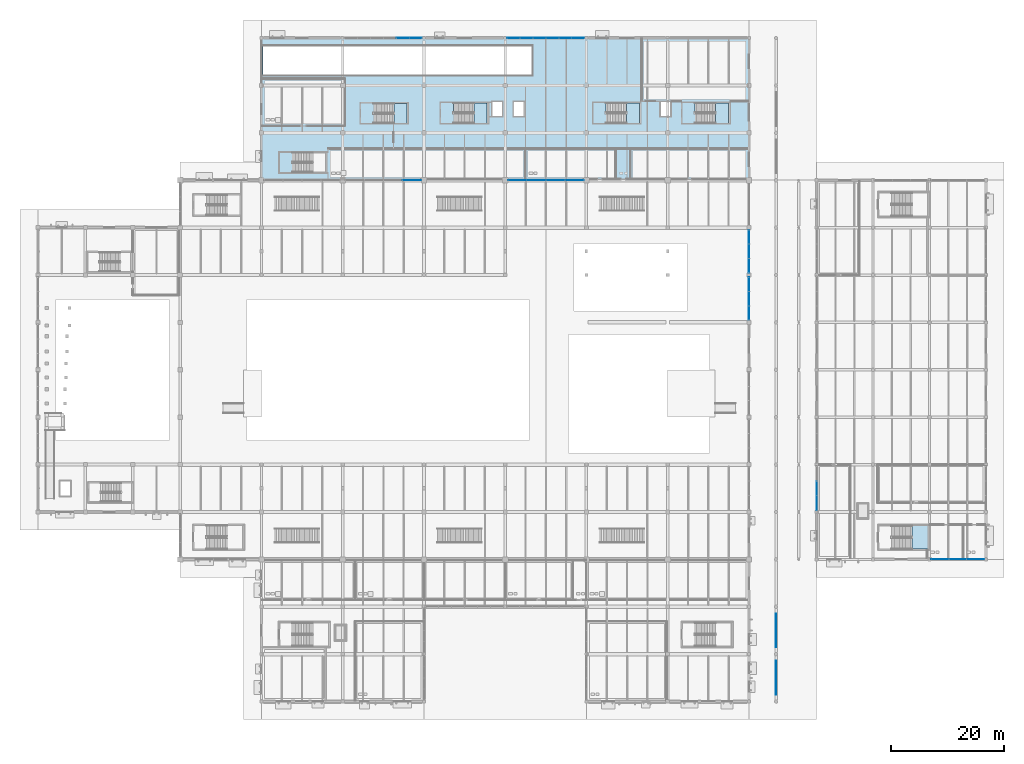
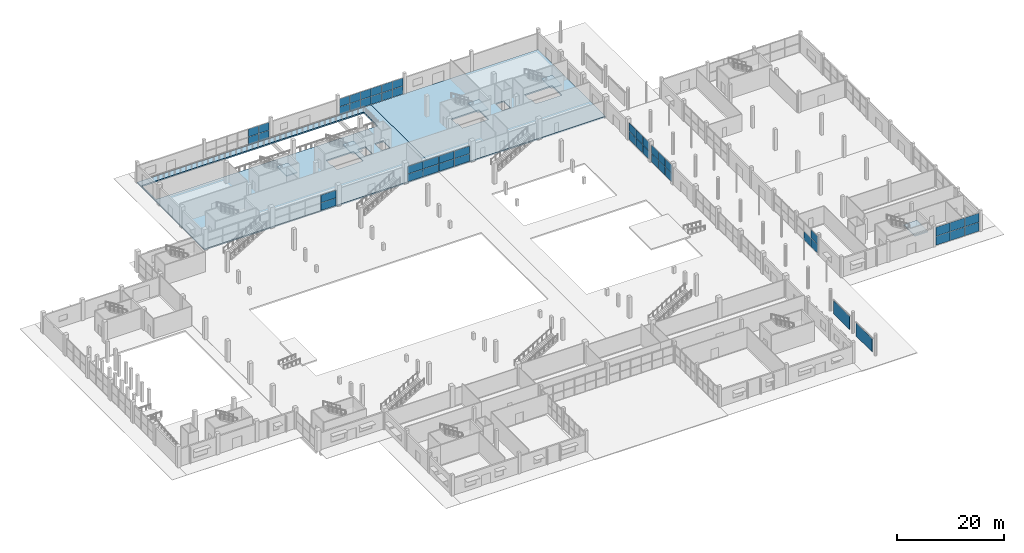
# One storey, part 85 of 130: 49 plates, 7 slabs, 13 elements without a shape of their own.
"""IFC4 building model written with IfcOpenShell, lengths in metres."""

from ifc_helpers import new_model, si_unit, direction, frame, origin, origin_2d, place, context, subcontext, project, spatial, polyline, rectangle, outline, extrude, material, layer, layer_set, type_object, element, aggregate, save


model = new_model("IFC4")

# Units and contexts
model_context = context("Model", 3, precision=1e-05, world=origin(), true_north=direction((0.0, 1.0)))
body_context = subcontext(model_context, "Body", "Model", "MODEL_VIEW")
ifc_project = project(units=[si_unit("LENGTHUNIT", "METRE"), si_unit("AREAUNIT", "SQUARE_METRE"), si_unit("VOLUMEUNIT", "CUBIC_METRE"), si_unit("PLANEANGLEUNIT", "RADIAN"), si_unit("MASSUNIT", "GRAM", prefix="KILO"), si_unit("THERMODYNAMICTEMPERATUREUNIT", "KELVIN")], contexts=[model_context])

# Site, building, storey
site_placement = place(None, origin())
site = spatial("IfcSite", under=ifc_project, at=site_placement, CompositionType="ELEMENT")
building_placement = place(site_placement, origin())
building = spatial("IfcBuilding", under=site, at=building_placement, Name="Nduvali Passage Aquatics Centre", CompositionType="ELEMENT")
storey_placement = place(building_placement, origin())
storey = spatial("IfcBuildingStorey", under=building, at=storey_placement, Name="L00", CompositionType="ELEMENT", Elevation=0.0)

# Plates
ifc_material_1 = material(Name="Coral-stone masonry blockwork", Category="masonry")
ifc_layer_1 = layer(ifc_material_1, 0.1201171875, Name="Coral-stone masonry blockwork")
ifc_layer_set_1 = layer_set([ifc_layer_1], Name="Coral-stone masonry blockwork")
plate_type_1 = type_object("IfcPlateType", Name="ENV-PLT-CLS120", PredefinedType="USERDEFINED", material=ifc_layer_set_1)
for number, where, z_axis, x_axis, name in (
    (1, (130.800048828125, 4.199951171875, 0.0), (0.0, 0.0, 1.0), (0.0, 1.0, 0.0), "L00 Passage South West Claustra"),
    (2, (130.800048828125, 12.60009765625, 0.0), (0.0, 0.0, 1.0), (0.0, 1.0, 0.0), "L00 Passage South Claustra"),
):
    element("IfcPlate", number, at=place(storey_placement, frame(where, z_axis=z_axis, x_axis=x_axis)), inside=storey, type_object=plate_type_1, Name=name, ObjectType="CLAUSTRA SCREEN", PredefinedType="USERDEFINED", context=body_context, shape_type="SweptSolid", body=[
        extrude(rectangle(XDim=6.0, YDim=0.1201171875, at=origin_2d()), origin(), (0.0, 0.0, 1.0), 3.0),
    ])

# Curtain wall, plates
ifc_material_2 = material(Name="Aluminium EN AW-6063 T6", Category="aluminium")
curtain_wall_type_1 = type_object("IfcCurtainWallType", Name="ENV-CW-FOYR", PredefinedType="NOTDEFINED", material=ifc_material_2)
curtain_wall_1_placement = place(storey_placement, origin())
curtain_wall_1 = element("IfcCurtainWall", 3, at=curtain_wall_1_placement, inside=storey, type_object=curtain_wall_type_1, Name="L00 Passage Foyer Ground CW 069", PredefinedType="NOTDEFINED")
ifc_material_3 = material(Name="Laminated solar-control low-E IGU")
ifc_layer_2 = layer(ifc_material_3, 0.028076171875, Name="Laminated solar-control low-E IGU")
ifc_layer_set_2 = layer_set([ifc_layer_2], Name="Laminated solar-control low-E IGU")
plate_type_2 = type_object("IfcPlateType", Name="ENV-PLT-GLZ28", PredefinedType="CURTAIN_PANEL", material=ifc_layer_set_2)
plate_1_placement = place(storey_placement, frame((138.0, 35.1982421875, 0.06005859375), z_axis=(0.0, 0.0, 1.0), x_axis=(0.0, 1.0, 0.0)))
plate_1 = element("IfcPlate", 4, at=plate_1_placement, type_object=plate_type_2, Name="Passage Foyer Ground CW Glazed Panel B1-R1", PredefinedType="CURTAIN_PANEL", context=body_context, shape_type="SweptSolid", body=[
    extrude(rectangle(XDim=2.526611328125, YDim=0.028076171875, at=origin_2d()), origin(), (0.0, 0.0, 1.0), 1.898193359375),
])
plate_2_placement = place(storey_placement, frame((138.0, 35.1982421875, 2.01806640625), z_axis=(0.0, 0.0, 1.0), x_axis=(0.0, 1.0, 0.0)))
plate_2 = element("IfcPlate", 5, at=plate_2_placement, type_object=plate_type_2, Name="Passage Foyer Ground CW Glazed Panel B1-R2", PredefinedType="CURTAIN_PANEL", context=body_context, shape_type="SweptSolid", body=[
    extrude(rectangle(XDim=2.526611328125, YDim=0.028076171875, at=origin_2d()), origin(), (0.0, 0.0, 1.0), 1.898193359375),
])
plate_3_placement = place(storey_placement, frame((138.0, 37.800048828125, 0.06005859375), z_axis=(0.0, 0.0, 1.0), x_axis=(0.0, 1.0, 0.0)))
plate_3 = element("IfcPlate", 6, at=plate_3_placement, type_object=plate_type_2, Name="Passage Foyer Ground CW Glazed Panel B2-R1", PredefinedType="CURTAIN_PANEL", context=body_context, shape_type="SweptSolid", body=[
    extrude(rectangle(XDim=2.556640625, YDim=0.028076171875, at=origin_2d()), origin(), (0.0, 0.0, 1.0), 1.898193359375),
])
aggregate(curtain_wall_1, [plate_1, plate_2, plate_3])

curtain_wall_type_2 = type_object("IfcCurtainWallType", Name="ENV-CW-PASS", PredefinedType="NOTDEFINED", material=ifc_material_2)
curtain_wall_2_placement = place(storey_placement, origin())
curtain_wall_2 = element("IfcCurtainWall", 7, at=curtain_wall_2_placement, inside=storey, type_object=curtain_wall_type_2, Name="L00 South Pavilion CW 093", PredefinedType="NOTDEFINED")
plate_4_placement = place(storey_placement, frame((159.864990234375, 25.199951171875, 0.06005859375), z_axis=(0.0, 0.0, 1.0), x_axis=(1.0, 0.0, 0.0)))
plate_4 = element("IfcPlate", 8, at=plate_4_placement, type_object=plate_type_2, Name="South Pavilion CW Glazed Panel B1-R1", PredefinedType="CURTAIN_PANEL", context=body_context, shape_type="SweptSolid", body=[
    extrude(rectangle(XDim=3.06005859375, YDim=0.028076171875, at=origin_2d()), origin(), (0.0, 0.0, 1.0), 2.01806640625),
])
plate_5_placement = place(storey_placement, frame((159.864990234375, 25.199951171875, 2.137939453125), z_axis=(0.0, 0.0, 1.0), x_axis=(1.0, 0.0, 0.0)))
plate_5 = element("IfcPlate", 9, at=plate_5_placement, type_object=plate_type_2, Name="South Pavilion CW Glazed Panel B1-R2", PredefinedType="CURTAIN_PANEL", context=body_context, shape_type="SweptSolid", body=[
    extrude(rectangle(XDim=3.06005859375, YDim=0.028076171875, at=origin_2d()), origin(), (0.0, 0.0, 1.0), 2.01806640625),
])
plate_6_placement = place(storey_placement, frame((163.0, 25.199951171875, 0.06005859375), z_axis=(0.0, 0.0, 1.0), x_axis=(1.0, 0.0, 0.0)))
plate_6 = element("IfcPlate", 10, at=plate_6_placement, type_object=plate_type_2, Name="South Pavilion CW Glazed Panel B2-R1", PredefinedType="CURTAIN_PANEL", context=body_context, shape_type="SweptSolid", body=[
    extrude(rectangle(XDim=3.090087890625, YDim=0.028076171875, at=origin_2d()), origin(), (0.0, 0.0, 1.0), 2.01806640625),
])
plate_7_placement = place(storey_placement, frame((163.0, 25.199951171875, 2.137939453125), z_axis=(0.0, 0.0, 1.0), x_axis=(1.0, 0.0, 0.0)))
plate_7 = element("IfcPlate", 11, at=plate_7_placement, type_object=plate_type_2, Name="South Pavilion CW Glazed Panel B2-R2", PredefinedType="CURTAIN_PANEL", context=body_context, shape_type="SweptSolid", body=[
    extrude(rectangle(XDim=3.090087890625, YDim=0.028076171875, at=origin_2d()), origin(), (0.0, 0.0, 1.0), 2.01806640625),
])
plate_8_placement = place(storey_placement, frame((166.135009765625, 25.199951171875, 0.06005859375), z_axis=(0.0, 0.0, 1.0), x_axis=(1.0, 0.0, 0.0)))
plate_8 = element("IfcPlate", 12, at=plate_8_placement, type_object=plate_type_2, Name="South Pavilion CW Glazed Panel B3-R1", PredefinedType="CURTAIN_PANEL", context=body_context, shape_type="SweptSolid", body=[
    extrude(rectangle(XDim=3.06005859375, YDim=0.028076171875, at=origin_2d()), origin(), (0.0, 0.0, 1.0), 2.01806640625),
])
plate_9_placement = place(storey_placement, frame((166.135009765625, 25.199951171875, 2.137939453125), z_axis=(0.0, 0.0, 1.0), x_axis=(1.0, 0.0, 0.0)))
plate_9 = element("IfcPlate", 13, at=plate_9_placement, type_object=plate_type_2, Name="South Pavilion CW Glazed Panel B3-R2", PredefinedType="CURTAIN_PANEL", context=body_context, shape_type="SweptSolid", body=[
    extrude(rectangle(XDim=3.06005859375, YDim=0.028076171875, at=origin_2d()), origin(), (0.0, 0.0, 1.0), 2.01806640625),
])
aggregate(curtain_wall_2, [plate_4, plate_5, plate_6, plate_7, plate_8, plate_9])

curtain_wall_type_3 = type_object("IfcCurtainWallType", Name="ENV-CW-WELL", PredefinedType="NOTDEFINED", material=ifc_material_2)
curtain_wall_3_placement = place(storey_placement, origin())
curtain_wall_3 = element("IfcCurtainWall", 14, at=curtain_wall_3_placement, inside=storey, type_object=curtain_wall_type_3, Name="L00 North Avenue Lobby CW 099", PredefinedType="NOTDEFINED")
plate_10_placement = place(storey_placement, frame((64.64990234375, 117.60009765625, 0.06005859375), z_axis=(0.0, 0.0, 1.0), x_axis=(1.0, 0.0, 0.0)))
plate_10 = element("IfcPlate", 15, at=plate_10_placement, type_object=plate_type_2, Name="North Avenue Lobby CW Glazed Panel B5-R1", PredefinedType="CURTAIN_PANEL", context=body_context, shape_type="SweptSolid", body=[
    extrude(rectangle(XDim=2.239990234375, YDim=0.028076171875, at=origin_2d()), origin(), (0.0, 0.0, 1.0), 1.786865234375),
])
plate_11_placement = place(storey_placement, frame((64.64990234375, 117.60009765625, 1.90673828125), z_axis=(0.0, 0.0, 1.0), x_axis=(1.0, 0.0, 0.0)))
plate_11 = element("IfcPlate", 16, at=plate_11_placement, type_object=plate_type_2, Name="North Avenue Lobby CW Glazed Panel B5-R2", PredefinedType="CURTAIN_PANEL", context=body_context, shape_type="SweptSolid", body=[
    extrude(rectangle(XDim=2.239990234375, YDim=0.028076171875, at=origin_2d()), origin(), (0.0, 0.0, 1.0), 1.786865234375),
])
plate_12_placement = place(storey_placement, frame((66.93505859375, 117.60009765625, 0.06005859375), z_axis=(0.0, 0.0, 1.0), x_axis=(1.0, 0.0, 0.0)))
plate_12 = element("IfcPlate", 17, at=plate_12_placement, type_object=plate_type_2, Name="North Avenue Lobby CW Glazed Panel B6-R1", PredefinedType="CURTAIN_PANEL", context=body_context, shape_type="SweptSolid", body=[
    extrude(rectangle(XDim=2.2099609375, YDim=0.028076171875, at=origin_2d()), origin(), (0.0, 0.0, 1.0), 1.786865234375),
])
plate_13_placement = place(storey_placement, frame((66.93505859375, 117.60009765625, 1.90673828125), z_axis=(0.0, 0.0, 1.0), x_axis=(1.0, 0.0, 0.0)))
plate_13 = element("IfcPlate", 18, at=plate_13_placement, type_object=plate_type_2, Name="North Avenue Lobby CW Glazed Panel B6-R2", PredefinedType="CURTAIN_PANEL", context=body_context, shape_type="SweptSolid", body=[
    extrude(rectangle(XDim=2.2099609375, YDim=0.028076171875, at=origin_2d()), origin(), (0.0, 0.0, 1.0), 1.786865234375),
])
aggregate(curtain_wall_3, [plate_10, plate_11, plate_12, plate_13])

curtain_wall_4_placement = place(storey_placement, origin())
curtain_wall_4 = element("IfcCurtainWall", 19, at=curtain_wall_4_placement, inside=storey, type_object=curtain_wall_type_3, Name="L00 North Avenue Lobby CW 107", PredefinedType="NOTDEFINED")
plate_14_placement = place(storey_placement, frame((84.264892578125, 117.60009765625, 0.06005859375), z_axis=(0.0, 0.0, 1.0), x_axis=(1.0, 0.0, 0.0)))
plate_14 = element("IfcPlate", 20, at=plate_14_placement, type_object=plate_type_2, Name="North Avenue Lobby CW Glazed Panel B1-R1", PredefinedType="CURTAIN_PANEL", context=body_context, shape_type="SweptSolid", body=[
    extrude(rectangle(XDim=2.2099609375, YDim=0.028076171875, at=origin_2d()), origin(), (0.0, 0.0, 1.0), 1.786865234375),
])
plate_15_placement = place(storey_placement, frame((84.264892578125, 117.60009765625, 1.90673828125), z_axis=(0.0, 0.0, 1.0), x_axis=(1.0, 0.0, 0.0)))
plate_15 = element("IfcPlate", 21, at=plate_15_placement, type_object=plate_type_2, Name="North Avenue Lobby CW Glazed Panel B1-R2", PredefinedType="CURTAIN_PANEL", context=body_context, shape_type="SweptSolid", body=[
    extrude(rectangle(XDim=2.2099609375, YDim=0.028076171875, at=origin_2d()), origin(), (0.0, 0.0, 1.0), 1.786865234375),
])
plate_16_placement = place(storey_placement, frame((86.550048828125, 117.60009765625, 0.06005859375), z_axis=(0.0, 0.0, 1.0), x_axis=(1.0, 0.0, 0.0)))
plate_16 = element("IfcPlate", 22, at=plate_16_placement, type_object=plate_type_2, Name="North Avenue Lobby CW Glazed Panel B2-R1", PredefinedType="CURTAIN_PANEL", context=body_context, shape_type="SweptSolid", body=[
    extrude(rectangle(XDim=2.239990234375, YDim=0.028076171875, at=origin_2d()), origin(), (0.0, 0.0, 1.0), 1.786865234375),
])
plate_17_placement = place(storey_placement, frame((86.550048828125, 117.60009765625, 1.90673828125), z_axis=(0.0, 0.0, 1.0), x_axis=(1.0, 0.0, 0.0)))
plate_17 = element("IfcPlate", 23, at=plate_17_placement, type_object=plate_type_2, Name="North Avenue Lobby CW Glazed Panel B2-R2", PredefinedType="CURTAIN_PANEL", context=body_context, shape_type="SweptSolid", body=[
    extrude(rectangle(XDim=2.239990234375, YDim=0.028076171875, at=origin_2d()), origin(), (0.0, 0.0, 1.0), 1.786865234375),
])
plate_18_placement = place(storey_placement, frame((88.85009765625, 117.60009765625, 0.06005859375), z_axis=(0.0, 0.0, 1.0), x_axis=(1.0, 0.0, 0.0)))
plate_18 = element("IfcPlate", 24, at=plate_18_placement, type_object=plate_type_2, Name="North Avenue Lobby CW Glazed Panel B3-R1", PredefinedType="CURTAIN_PANEL", context=body_context, shape_type="SweptSolid", body=[
    extrude(rectangle(XDim=2.239990234375, YDim=0.028076171875, at=origin_2d()), origin(), (0.0, 0.0, 1.0), 1.786865234375),
])
plate_19_placement = place(storey_placement, frame((88.85009765625, 117.60009765625, 1.90673828125), z_axis=(0.0, 0.0, 1.0), x_axis=(1.0, 0.0, 0.0)))
plate_19 = element("IfcPlate", 25, at=plate_19_placement, type_object=plate_type_2, Name="North Avenue Lobby CW Glazed Panel B3-R2", PredefinedType="CURTAIN_PANEL", context=body_context, shape_type="SweptSolid", body=[
    extrude(rectangle(XDim=2.239990234375, YDim=0.028076171875, at=origin_2d()), origin(), (0.0, 0.0, 1.0), 1.786865234375),
])
plate_20_placement = place(storey_placement, frame((91.14990234375, 117.60009765625, 0.06005859375), z_axis=(0.0, 0.0, 1.0), x_axis=(1.0, 0.0, 0.0)))
plate_20 = element("IfcPlate", 26, at=plate_20_placement, type_object=plate_type_2, Name="North Avenue Lobby CW Glazed Panel B4-R1", PredefinedType="CURTAIN_PANEL", context=body_context, shape_type="SweptSolid", body=[
    extrude(rectangle(XDim=2.239990234375, YDim=0.028076171875, at=origin_2d()), origin(), (0.0, 0.0, 1.0), 1.786865234375),
])
plate_21_placement = place(storey_placement, frame((91.14990234375, 117.60009765625, 1.90673828125), z_axis=(0.0, 0.0, 1.0), x_axis=(1.0, 0.0, 0.0)))
plate_21 = element("IfcPlate", 27, at=plate_21_placement, type_object=plate_type_2, Name="North Avenue Lobby CW Glazed Panel B4-R2", PredefinedType="CURTAIN_PANEL", context=body_context, shape_type="SweptSolid", body=[
    extrude(rectangle(XDim=2.239990234375, YDim=0.028076171875, at=origin_2d()), origin(), (0.0, 0.0, 1.0), 1.786865234375),
])
plate_22_placement = place(storey_placement, frame((93.449951171875, 117.60009765625, 0.06005859375), z_axis=(0.0, 0.0, 1.0), x_axis=(1.0, 0.0, 0.0)))
plate_22 = element("IfcPlate", 28, at=plate_22_placement, type_object=plate_type_2, Name="North Avenue Lobby CW Glazed Panel B5-R1", PredefinedType="CURTAIN_PANEL", context=body_context, shape_type="SweptSolid", body=[
    extrude(rectangle(XDim=2.239990234375, YDim=0.028076171875, at=origin_2d()), origin(), (0.0, 0.0, 1.0), 1.786865234375),
])
plate_23_placement = place(storey_placement, frame((93.449951171875, 117.60009765625, 1.90673828125), z_axis=(0.0, 0.0, 1.0), x_axis=(1.0, 0.0, 0.0)))
plate_23 = element("IfcPlate", 29, at=plate_23_placement, type_object=plate_type_2, Name="North Avenue Lobby CW Glazed Panel B5-R2", PredefinedType="CURTAIN_PANEL", context=body_context, shape_type="SweptSolid", body=[
    extrude(rectangle(XDim=2.239990234375, YDim=0.028076171875, at=origin_2d()), origin(), (0.0, 0.0, 1.0), 1.786865234375),
])
plate_24_placement = place(storey_placement, frame((95.735107421875, 117.60009765625, 0.06005859375), z_axis=(0.0, 0.0, 1.0), x_axis=(1.0, 0.0, 0.0)))
plate_24 = element("IfcPlate", 30, at=plate_24_placement, type_object=plate_type_2, Name="North Avenue Lobby CW Glazed Panel B6-R1", PredefinedType="CURTAIN_PANEL", context=body_context, shape_type="SweptSolid", body=[
    extrude(rectangle(XDim=2.2099609375, YDim=0.028076171875, at=origin_2d()), origin(), (0.0, 0.0, 1.0), 1.786865234375),
])
plate_25_placement = place(storey_placement, frame((95.735107421875, 117.60009765625, 1.90673828125), z_axis=(0.0, 0.0, 1.0), x_axis=(1.0, 0.0, 0.0)))
plate_25 = element("IfcPlate", 31, at=plate_25_placement, type_object=plate_type_2, Name="North Avenue Lobby CW Glazed Panel B6-R2", PredefinedType="CURTAIN_PANEL", context=body_context, shape_type="SweptSolid", body=[
    extrude(rectangle(XDim=2.2099609375, YDim=0.028076171875, at=origin_2d()), origin(), (0.0, 0.0, 1.0), 1.786865234375),
])
aggregate(curtain_wall_4, [plate_14, plate_15, plate_16, plate_17, plate_18, plate_19, plate_20, plate_21, plate_22, plate_23, plate_24, plate_25])

curtain_wall_type_4 = type_object("IfcCurtainWallType", Name="ENV-CW-HALL", PredefinedType="NOTDEFINED", material=ifc_material_2)
curtain_wall_5_placement = place(storey_placement, origin())
curtain_wall_5 = element("IfcCurtainWall", 32, at=curtain_wall_5_placement, inside=storey, type_object=curtain_wall_type_4, Name="L00 East Passage Pool Hall Lower Glazing 033", PredefinedType="NOTDEFINED")
ifc_layer_3 = layer(ifc_material_3, 0.031982421875, Name="Laminated solar-control low-E IGU")
ifc_layer_set_3 = layer_set([ifc_layer_3], Name="Laminated solar-control low-E IGU")
plate_type_3 = type_object("IfcPlateType", Name="ENV-PLT-GLZ32", PredefinedType="CURTAIN_PANEL", material=ifc_layer_set_3)
plate_26_placement = place(storey_placement, frame((126.0, 68.864990234375, 0.06005859375), z_axis=(0.0, 0.0, 1.0), x_axis=(0.0, 1.0, 0.0)))
plate_26 = element("IfcPlate", 33, at=plate_26_placement, type_object=plate_type_3, Name="East Passage Pool Hall Lower Glazing Glazed Panel B1-R1", PredefinedType="CURTAIN_PANEL", context=body_context, shape_type="SweptSolid", body=[
    extrude(rectangle(XDim=2.4599609375, YDim=0.031982421875, at=origin_2d()), origin(), (0.0, 0.0, 1.0), 1.898193359375),
])
plate_27_placement = place(storey_placement, frame((126.0, 68.864990234375, 2.01806640625), z_axis=(0.0, 0.0, 1.0), x_axis=(0.0, 1.0, 0.0)))
plate_27 = element("IfcPlate", 34, at=plate_27_placement, type_object=plate_type_3, Name="East Passage Pool Hall Lower Glazing Glazed Panel B1-R2", PredefinedType="CURTAIN_PANEL", context=body_context, shape_type="SweptSolid", body=[
    extrude(rectangle(XDim=2.4599609375, YDim=0.031982421875, at=origin_2d()), origin(), (0.0, 0.0, 1.0), 1.898193359375),
])
plate_28_placement = place(storey_placement, frame((126.0, 71.39990234375, 0.06005859375), z_axis=(0.0, 0.0, 1.0), x_axis=(0.0, 1.0, 0.0)))
plate_28 = element("IfcPlate", 35, at=plate_28_placement, type_object=plate_type_3, Name="East Passage Pool Hall Lower Glazing Glazed Panel B2-R1", PredefinedType="CURTAIN_PANEL", context=body_context, shape_type="SweptSolid", body=[
    extrude(rectangle(XDim=2.489990234375, YDim=0.031982421875, at=origin_2d()), origin(), (0.0, 0.0, 1.0), 1.898193359375),
])
plate_29_placement = place(storey_placement, frame((126.0, 71.39990234375, 2.01806640625), z_axis=(0.0, 0.0, 1.0), x_axis=(0.0, 1.0, 0.0)))
plate_29 = element("IfcPlate", 36, at=plate_29_placement, type_object=plate_type_3, Name="East Passage Pool Hall Lower Glazing Glazed Panel B2-R2", PredefinedType="CURTAIN_PANEL", context=body_context, shape_type="SweptSolid", body=[
    extrude(rectangle(XDim=2.489990234375, YDim=0.031982421875, at=origin_2d()), origin(), (0.0, 0.0, 1.0), 1.898193359375),
])
plate_30_placement = place(storey_placement, frame((126.0, 73.93505859375, 0.06005859375), z_axis=(0.0, 0.0, 1.0), x_axis=(0.0, 1.0, 0.0)))
plate_30 = element("IfcPlate", 37, at=plate_30_placement, type_object=plate_type_3, Name="East Passage Pool Hall Lower Glazing Glazed Panel B3-R1", PredefinedType="CURTAIN_PANEL", context=body_context, shape_type="SweptSolid", body=[
    extrude(rectangle(XDim=2.4599609375, YDim=0.031982421875, at=origin_2d()), origin(), (0.0, 0.0, 1.0), 1.898193359375),
])
plate_31_placement = place(storey_placement, frame((126.0, 73.93505859375, 2.01806640625), z_axis=(0.0, 0.0, 1.0), x_axis=(0.0, 1.0, 0.0)))
plate_31 = element("IfcPlate", 38, at=plate_31_placement, type_object=plate_type_3, Name="East Passage Pool Hall Lower Glazing Glazed Panel B3-R2", PredefinedType="CURTAIN_PANEL", context=body_context, shape_type="SweptSolid", body=[
    extrude(rectangle(XDim=2.4599609375, YDim=0.031982421875, at=origin_2d()), origin(), (0.0, 0.0, 1.0), 1.898193359375),
])
aggregate(curtain_wall_5, [plate_26, plate_27, plate_28, plate_29, plate_30, plate_31])

curtain_wall_6_placement = place(storey_placement, origin())
curtain_wall_6 = element("IfcCurtainWall", 39, at=curtain_wall_6_placement, inside=storey, type_object=curtain_wall_type_4, Name="L00 East Passage Pool Hall Lower Glazing 037", PredefinedType="NOTDEFINED")
plate_32_placement = place(storey_placement, frame((126.0, 77.264892578125, 0.06005859375), z_axis=(0.0, 0.0, 1.0), x_axis=(0.0, 1.0, 0.0)))
plate_32 = element("IfcPlate", 40, at=plate_32_placement, type_object=plate_type_3, Name="East Passage Pool Hall Lower Glazing Glazed Panel B1-R1", PredefinedType="CURTAIN_PANEL", context=body_context, shape_type="SweptSolid", body=[
    extrude(rectangle(XDim=2.4599609375, YDim=0.031982421875, at=origin_2d()), origin(), (0.0, 0.0, 1.0), 1.898193359375),
])
plate_33_placement = place(storey_placement, frame((126.0, 77.264892578125, 2.01806640625), z_axis=(0.0, 0.0, 1.0), x_axis=(0.0, 1.0, 0.0)))
plate_33 = element("IfcPlate", 41, at=plate_33_placement, type_object=plate_type_3, Name="East Passage Pool Hall Lower Glazing Glazed Panel B1-R2", PredefinedType="CURTAIN_PANEL", context=body_context, shape_type="SweptSolid", body=[
    extrude(rectangle(XDim=2.4599609375, YDim=0.031982421875, at=origin_2d()), origin(), (0.0, 0.0, 1.0), 1.898193359375),
])
plate_34_placement = place(storey_placement, frame((126.0, 79.800048828125, 0.06005859375), z_axis=(0.0, 0.0, 1.0), x_axis=(0.0, 1.0, 0.0)))
plate_34 = element("IfcPlate", 42, at=plate_34_placement, type_object=plate_type_3, Name="East Passage Pool Hall Lower Glazing Glazed Panel B2-R1", PredefinedType="CURTAIN_PANEL", context=body_context, shape_type="SweptSolid", body=[
    extrude(rectangle(XDim=2.489990234375, YDim=0.031982421875, at=origin_2d()), origin(), (0.0, 0.0, 1.0), 1.898193359375),
])
plate_35_placement = place(storey_placement, frame((126.0, 79.800048828125, 2.01806640625), z_axis=(0.0, 0.0, 1.0), x_axis=(0.0, 1.0, 0.0)))
plate_35 = element("IfcPlate", 43, at=plate_35_placement, type_object=plate_type_3, Name="East Passage Pool Hall Lower Glazing Glazed Panel B2-R2", PredefinedType="CURTAIN_PANEL", context=body_context, shape_type="SweptSolid", body=[
    extrude(rectangle(XDim=2.489990234375, YDim=0.031982421875, at=origin_2d()), origin(), (0.0, 0.0, 1.0), 1.898193359375),
])
plate_36_placement = place(storey_placement, frame((126.0, 82.3349609375, 0.06005859375), z_axis=(0.0, 0.0, 1.0), x_axis=(0.0, 1.0, 0.0)))
plate_36 = element("IfcPlate", 44, at=plate_36_placement, type_object=plate_type_3, Name="East Passage Pool Hall Lower Glazing Glazed Panel B3-R1", PredefinedType="CURTAIN_PANEL", context=body_context, shape_type="SweptSolid", body=[
    extrude(rectangle(XDim=2.4599609375, YDim=0.031982421875, at=origin_2d()), origin(), (0.0, 0.0, 1.0), 1.898193359375),
])
plate_37_placement = place(storey_placement, frame((126.0, 82.3349609375, 2.01806640625), z_axis=(0.0, 0.0, 1.0), x_axis=(0.0, 1.0, 0.0)))
plate_37 = element("IfcPlate", 45, at=plate_37_placement, type_object=plate_type_3, Name="East Passage Pool Hall Lower Glazing Glazed Panel B3-R2", PredefinedType="CURTAIN_PANEL", context=body_context, shape_type="SweptSolid", body=[
    extrude(rectangle(XDim=2.4599609375, YDim=0.031982421875, at=origin_2d()), origin(), (0.0, 0.0, 1.0), 1.898193359375),
])
aggregate(curtain_wall_6, [plate_32, plate_33, plate_34, plate_35, plate_36, plate_37])

curtain_wall_7_placement = place(storey_placement, origin())
curtain_wall_7 = element("IfcCurtainWall", 46, at=curtain_wall_7_placement, inside=storey, type_object=curtain_wall_type_4, Name="L00 North Pool Hall Hydro-Pool Screen 060", PredefinedType="NOTDEFINED")
plate_38_placement = place(storey_placement, frame((66.24755859375, 92.39990234375, 0.06005859375), z_axis=(0.0, 0.0, 1.0), x_axis=(1.0, 0.0, 0.0)))
plate_38 = element("IfcPlate", 47, at=plate_38_placement, type_object=plate_type_3, Name="North Pool Hall Hydro-Pool Screen Glazed Panel B4-R1", PredefinedType="CURTAIN_PANEL", context=body_context, shape_type="SweptSolid", body=[
    extrude(rectangle(XDim=3.284912109375, YDim=0.031982421875, at=origin_2d()), origin(), (0.0, 0.0, 1.0), 1.712890625),
])
plate_39_placement = place(storey_placement, frame((66.24755859375, 92.39990234375, 1.832763671875), z_axis=(0.0, 0.0, 1.0), x_axis=(1.0, 0.0, 0.0)))
plate_39 = element("IfcPlate", 48, at=plate_39_placement, type_object=plate_type_3, Name="North Pool Hall Hydro-Pool Screen Glazed Panel B4-R2", PredefinedType="CURTAIN_PANEL", context=body_context, shape_type="SweptSolid", body=[
    extrude(rectangle(XDim=3.284912109375, YDim=0.031982421875, at=origin_2d()), origin(), (0.0, 0.0, 1.0), 1.712890625),
])
aggregate(curtain_wall_7, [plate_38, plate_39])

curtain_wall_8_placement = place(storey_placement, origin())
curtain_wall_8 = element("IfcCurtainWall", 49, at=curtain_wall_8_placement, inside=storey, type_object=curtain_wall_type_4, Name="L00 North Pool Hall Hydro-Pool Screen 063", PredefinedType="NOTDEFINED")
plate_40_placement = place(storey_placement, frame((84.952392578125, 92.39990234375, 0.06005859375), z_axis=(0.0, 0.0, 1.0), x_axis=(1.0, 0.0, 0.0)))
plate_40 = element("IfcPlate", 50, at=plate_40_placement, type_object=plate_type_3, Name="North Pool Hall Hydro-Pool Screen Glazed Panel B1-R1", PredefinedType="CURTAIN_PANEL", context=body_context, shape_type="SweptSolid", body=[
    extrude(rectangle(XDim=3.284912109375, YDim=0.031982421875, at=origin_2d()), origin(), (0.0, 0.0, 1.0), 1.712890625),
])
plate_41_placement = place(storey_placement, frame((84.952392578125, 92.39990234375, 1.832763671875), z_axis=(0.0, 0.0, 1.0), x_axis=(1.0, 0.0, 0.0)))
plate_41 = element("IfcPlate", 51, at=plate_41_placement, type_object=plate_type_3, Name="North Pool Hall Hydro-Pool Screen Glazed Panel B1-R2", PredefinedType="CURTAIN_PANEL", context=body_context, shape_type="SweptSolid", body=[
    extrude(rectangle(XDim=3.284912109375, YDim=0.031982421875, at=origin_2d()), origin(), (0.0, 0.0, 1.0), 1.712890625),
])
plate_42_placement = place(storey_placement, frame((88.3125, 92.39990234375, 0.06005859375), z_axis=(0.0, 0.0, 1.0), x_axis=(1.0, 0.0, 0.0)))
plate_42 = element("IfcPlate", 52, at=plate_42_placement, type_object=plate_type_3, Name="North Pool Hall Hydro-Pool Screen Glazed Panel B2-R1", PredefinedType="CURTAIN_PANEL", context=body_context, shape_type="SweptSolid", body=[
    extrude(rectangle(XDim=3.31494140625, YDim=0.031982421875, at=origin_2d()), origin(), (0.0, 0.0, 1.0), 1.712890625),
])
plate_43_placement = place(storey_placement, frame((88.3125, 92.39990234375, 1.832763671875), z_axis=(0.0, 0.0, 1.0), x_axis=(1.0, 0.0, 0.0)))
plate_43 = element("IfcPlate", 53, at=plate_43_placement, type_object=plate_type_3, Name="North Pool Hall Hydro-Pool Screen Glazed Panel B2-R2", PredefinedType="CURTAIN_PANEL", context=body_context, shape_type="SweptSolid", body=[
    extrude(rectangle(XDim=3.31494140625, YDim=0.031982421875, at=origin_2d()), origin(), (0.0, 0.0, 1.0), 1.712890625),
])
plate_44_placement = place(storey_placement, frame((91.6875, 92.39990234375, 0.06005859375), z_axis=(0.0, 0.0, 1.0), x_axis=(1.0, 0.0, 0.0)))
plate_44 = element("IfcPlate", 54, at=plate_44_placement, type_object=plate_type_3, Name="North Pool Hall Hydro-Pool Screen Glazed Panel B3-R1", PredefinedType="CURTAIN_PANEL", context=body_context, shape_type="SweptSolid", body=[
    extrude(rectangle(XDim=3.31494140625, YDim=0.031982421875, at=origin_2d()), origin(), (0.0, 0.0, 1.0), 1.712890625),
])
plate_45_placement = place(storey_placement, frame((91.6875, 92.39990234375, 1.832763671875), z_axis=(0.0, 0.0, 1.0), x_axis=(1.0, 0.0, 0.0)))
plate_45 = element("IfcPlate", 55, at=plate_45_placement, type_object=plate_type_3, Name="North Pool Hall Hydro-Pool Screen Glazed Panel B3-R2", PredefinedType="CURTAIN_PANEL", context=body_context, shape_type="SweptSolid", body=[
    extrude(rectangle(XDim=3.31494140625, YDim=0.031982421875, at=origin_2d()), origin(), (0.0, 0.0, 1.0), 1.712890625),
])
plate_46_placement = place(storey_placement, frame((95.047607421875, 92.39990234375, 0.06005859375), z_axis=(0.0, 0.0, 1.0), x_axis=(1.0, 0.0, 0.0)))
plate_46 = element("IfcPlate", 56, at=plate_46_placement, type_object=plate_type_3, Name="North Pool Hall Hydro-Pool Screen Glazed Panel B4-R1", PredefinedType="CURTAIN_PANEL", context=body_context, shape_type="SweptSolid", body=[
    extrude(rectangle(XDim=3.284912109375, YDim=0.031982421875, at=origin_2d()), origin(), (0.0, 0.0, 1.0), 1.712890625),
])
plate_47_placement = place(storey_placement, frame((95.047607421875, 92.39990234375, 1.832763671875), z_axis=(0.0, 0.0, 1.0), x_axis=(1.0, 0.0, 0.0)))
plate_47 = element("IfcPlate", 57, at=plate_47_placement, type_object=plate_type_3, Name="North Pool Hall Hydro-Pool Screen Glazed Panel B4-R2", PredefinedType="CURTAIN_PANEL", context=body_context, shape_type="SweptSolid", body=[
    extrude(rectangle(XDim=3.284912109375, YDim=0.031982421875, at=origin_2d()), origin(), (0.0, 0.0, 1.0), 1.712890625),
])
aggregate(curtain_wall_8, [plate_40, plate_41, plate_42, plate_43, plate_44, plate_45, plate_46, plate_47])

# Stair, slab
ifc_material_4 = material(Name="Concrete C40/50", Category="concrete")
stair_type_1 = type_object("IfcStairType", Name="INT-STR-CORE172", PredefinedType="HALF_TURN_STAIR", material=ifc_material_4)
stair_1_placement = place(storey_placement, origin())
stair_1 = element("IfcStair", 58, at=stair_1_placement, inside=storey, type_object=stair_type_1, Name="L00 ST1", PredefinedType="HALF_TURN_STAIR")
ifc_layer_4 = layer(ifc_material_4, 0.219970703125, Name="Concrete C40/50")
ifc_layer_set_4 = layer_set([ifc_layer_4], Name="Concrete C40/50")
slab_type_1 = type_object("IfcSlabType", Name="INT-SLB-LAND170", PredefinedType="LANDING", material=ifc_layer_set_4)
slab_1_placement = place(storey_placement, frame((0.0, 0.0, 2.179931640625)))
slab_1 = element("IfcSlab", 59, at=slab_1_placement, type_object=slab_type_1, Name="ST1 landing 1", PredefinedType="LANDING", context=body_context, shape_type="SweptSolid", body=[
    extrude(outline(polyline([(77.2900390625, 102.5), (79.60009765625, 102.5), (79.60009765625, 106.090087890625), (77.2900390625, 106.090087890625), (77.2900390625, 102.5)])), origin(), (0.0, 0.0, 1.0), 0.219970703125),
])
aggregate(stair_1, [slab_1])

stair_2_placement = place(storey_placement, origin())
stair_2 = element("IfcStair", 60, at=stair_2_placement, inside=storey, type_object=stair_type_1, Name="L00 ST2", PredefinedType="HALF_TURN_STAIR")
slab_2_placement = place(storey_placement, frame((0.0, 0.0, 2.179931640625)))
slab_2 = element("IfcSlab", 61, at=slab_2_placement, type_object=slab_type_1, Name="ST2 landing 1", PredefinedType="LANDING", context=body_context, shape_type="SweptSolid", body=[
    extrude(outline(polyline([(120.090087890625, 102.5), (122.39990234375, 102.5), (122.39990234375, 106.090087890625), (120.090087890625, 106.090087890625), (120.090087890625, 102.5)])), origin(), (0.0, 0.0, 1.0), 0.219970703125),
])
aggregate(stair_2, [slab_2])

stair_type_2 = type_object("IfcStairType", Name="INT-STR-CORE168", PredefinedType="HALF_TURN_STAIR", material=ifc_material_4)
stair_3_placement = place(storey_placement, origin())
stair_3 = element("IfcStair", 62, at=stair_3_placement, inside=storey, type_object=stair_type_2, Name="L00 ST3", PredefinedType="HALF_TURN_STAIR")
slab_3_placement = place(storey_placement, frame((0.0, 0.0, 2.179931640625)))
slab_3 = element("IfcSlab", 63, at=slab_3_placement, type_object=slab_type_1, Name="ST3 landing 1", PredefinedType="LANDING", context=body_context, shape_type="SweptSolid", body=[
    extrude(outline(polyline([(63.090087890625, 102.5), (65.39990234375, 102.5), (65.39990234375, 106.010009765625), (63.090087890625, 106.010009765625), (63.090087890625, 102.5)])), origin(), (0.0, 0.0, 1.0), 0.219970703125),
])
aggregate(stair_3, [slab_3])

stair_type_3 = type_object("IfcStairType", Name="INT-STR-CORE202", PredefinedType="HALF_TURN_STAIR", material=ifc_material_4)
stair_4_placement = place(storey_placement, origin())
stair_4 = element("IfcStair", 64, at=stair_4_placement, inside=storey, type_object=stair_type_3, Name="L00 ST7", PredefinedType="HALF_TURN_STAIR")
slab_4_placement = place(storey_placement, frame((0.0, 0.0, 2.179931640625)))
slab_4 = element("IfcSlab", 65, at=slab_4_placement, type_object=slab_type_1, Name="ST7 landing 1", PredefinedType="LANDING", context=body_context, shape_type="SweptSolid", body=[
    extrude(outline(polyline([(154.889892578125, 27.0), (157.699951171875, 27.0), (157.699951171875, 31.18994140625), (154.889892578125, 31.18994140625), (154.889892578125, 27.0)])), origin(), (0.0, 0.0, 1.0), 0.219970703125),
])
aggregate(stair_4, [slab_4])

stair_5_placement = place(storey_placement, origin())
stair_5 = element("IfcStair", 66, at=stair_5_placement, inside=storey, type_object=stair_type_1, Name="L00 ST11", PredefinedType="HALF_TURN_STAIR")
slab_5_placement = place(storey_placement, frame((0.0, 0.0, 2.179931640625)))
slab_5 = element("IfcSlab", 67, at=slab_5_placement, type_object=slab_type_1, Name="ST11 landing 1", PredefinedType="LANDING", context=body_context, shape_type="SweptSolid", body=[
    extrude(outline(polyline([(104.2900390625, 102.5), (106.60009765625, 102.5), (106.60009765625, 106.090087890625), (104.2900390625, 106.090087890625), (104.2900390625, 102.5)])), origin(), (0.0, 0.0, 1.0), 0.219970703125),
])
aggregate(stair_5, [slab_5])

# Slabs
ifc_layer_5 = layer(ifc_material_4, 0.300048828125, Name="Concrete C40/50")
ifc_layer_set_5 = layer_set([ifc_layer_5], Name="Concrete C40/50")
slab_type_2 = type_object("IfcSlabType", Name="STR-SLB-FLR300", PredefinedType="FLOOR", material=ifc_layer_set_5)
slab_6_placement = place(storey_placement, frame((0.0, 0.0, -0.300048828125)))
element("IfcSlab", 68, at=slab_6_placement, inside=storey, type_object=slab_type_2, Name="L00 North-West Hydrotherapy Entry and Ramp Apron Slab", PredefinedType="FLOOR", context=body_context, shape_type="SweptSolid", body=[
    extrude(outline(polyline([(39.60009765625, 92.449951171875), (90.0, 92.449951171875), (90.0, 117.60009765625), (39.60009765625, 117.60009765625), (39.60009765625, 92.449951171875)]), holes=[polyline([(73.929931640625, 102.5), (79.60009765625, 102.5), (79.60009765625, 106.090087890625), (73.64990234375, 106.090087890625), (73.64990234375, 104.219970703125), (73.929931640625, 104.219970703125), (73.929931640625, 102.5)]), polyline([(80.52001953125, 103.719970703125), (82.280029296875, 103.719970703125), (82.280029296875, 106.280029296875), (80.52001953125, 106.280029296875), (80.52001953125, 103.719970703125)]), polyline([(84.320068359375, 103.719970703125), (86.080078125, 103.719970703125), (86.080078125, 106.280029296875), (84.320068359375, 106.280029296875), (84.320068359375, 103.719970703125)]), polyline([(39.830078125, 111.0), (87.60009765625, 111.0), (87.60009765625, 116.199951171875), (39.830078125, 116.199951171875), (39.830078125, 111.0)])]), origin(), (0.0, 0.0, 1.0), 0.300048828125),
])
slab_7_placement = place(storey_placement, frame((0.0, 0.0, -0.300048828125)))
element("IfcSlab", 69, at=slab_7_placement, inside=storey, type_object=slab_type_2, Name="L00 North-East Fitness Reception Floor Slab", PredefinedType="FLOOR", context=body_context, shape_type="SweptSolid", body=[
    extrude(outline(polyline([(90.0, 92.449951171875), (126.0, 92.449951171875), (126.0, 117.60009765625), (90.0, 117.60009765625), (90.0, 92.449951171875)]), holes=[polyline([(116.72998046875, 102.5), (122.39990234375, 102.5), (122.39990234375, 106.090087890625), (116.449951171875, 106.090087890625), (116.449951171875, 104.219970703125), (116.72998046875, 104.219970703125), (116.72998046875, 102.5)]), polyline([(100.929931640625, 102.5), (106.60009765625, 102.5), (106.60009765625, 106.090087890625), (100.64990234375, 106.090087890625), (100.64990234375, 104.219970703125), (100.929931640625, 104.219970703125), (100.929931640625, 102.5)]), polyline([(110.320068359375, 103.719970703125), (112.080078125, 103.719970703125), (112.080078125, 106.280029296875), (110.320068359375, 106.280029296875), (110.320068359375, 103.719970703125)])]), origin(), (0.0, 0.0, 1.0), 0.300048828125),
])

save(model, "model.ifc")
